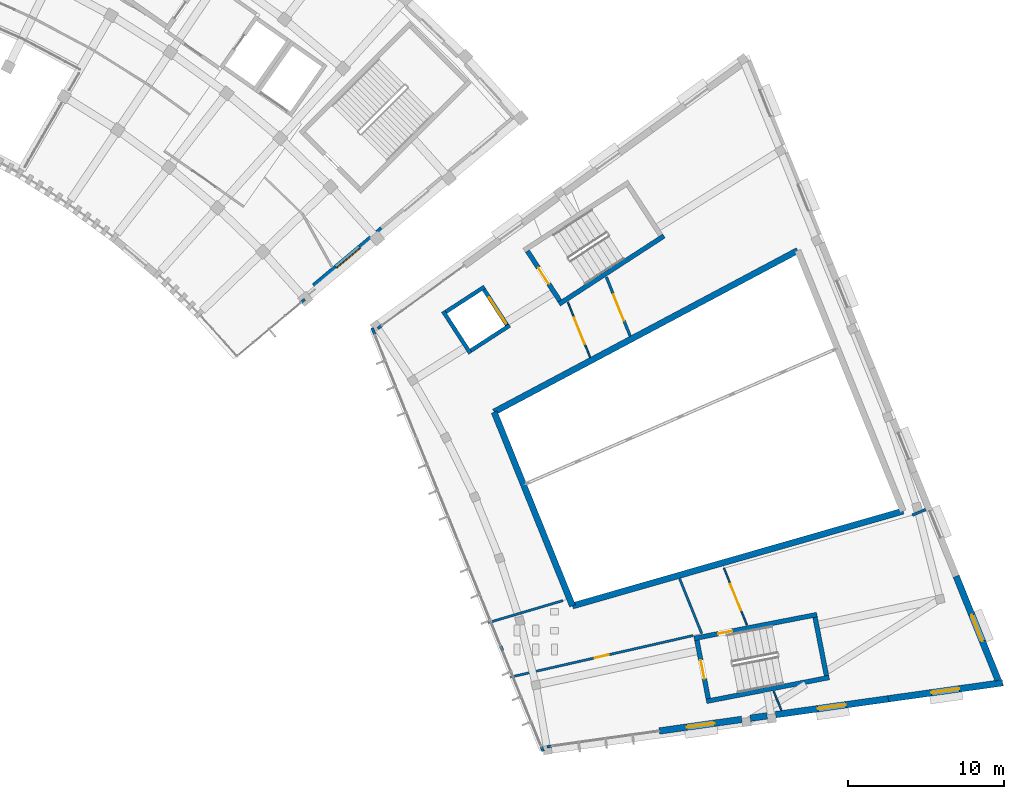
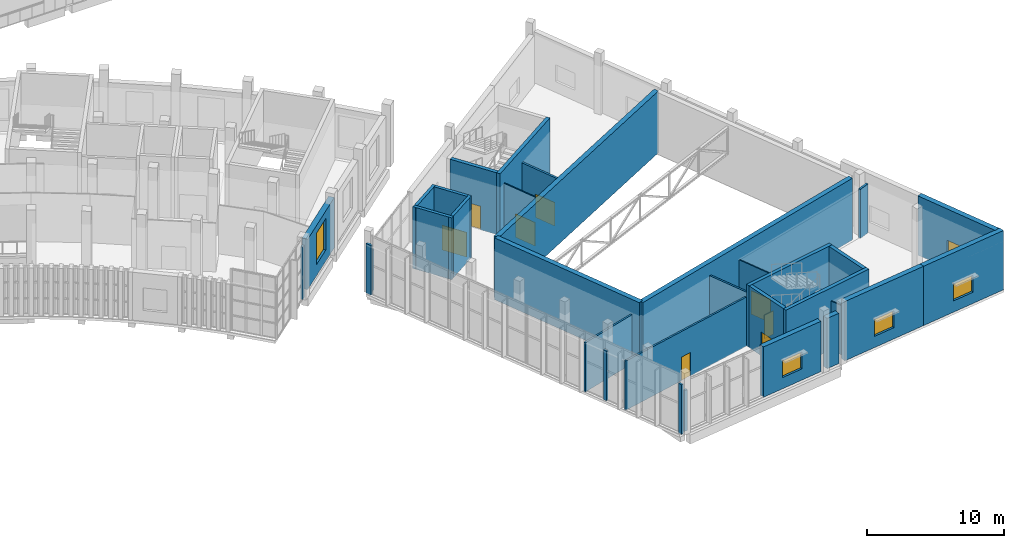
# One storey, part 61 of 112: 33 walls, 8 doors, 5 windows, 13 openings.
"""IFC4 building model written with IfcOpenShell, lengths in metres."""

from ifc_helpers import new_model, si_unit, direction, frame, frame_2d, origin, place, context, subcontext, project, spatial, rectangle, extrude, material, layer, layer_set, type_object, element, fill, save


model = new_model("IFC4")

# Units and contexts
model_context = context("Model", 3, precision=1e-05, world=origin(), true_north=direction((0.0, 1.0)))
body_context = subcontext(model_context, "Body", "Model", "MODEL_VIEW")
ifc_project = project(units=[si_unit("LENGTHUNIT", "METRE"), si_unit("AREAUNIT", "SQUARE_METRE"), si_unit("VOLUMEUNIT", "CUBIC_METRE"), si_unit("PLANEANGLEUNIT", "RADIAN"), si_unit("MASSUNIT", "GRAM", prefix="KILO")], contexts=[model_context])

# Site, building, storey
site_placement = place(None, origin())
site = spatial("IfcSite", under=ifc_project, at=site_placement, CompositionType="ELEMENT")
building_placement = place(site_placement, origin())
building = spatial("IfcBuilding", under=site, at=building_placement, Name="Lunette Opera House", CompositionType="ELEMENT")
storey_placement = place(building_placement, frame((0.0, 0.0, 6.0)))
storey = spatial("IfcBuildingStorey", under=building, at=storey_placement, Name="L01", CompositionType="ELEMENT", Elevation=6.0)

# Wall
ifc_material_1 = material(Name="Plastered clay blockwork", Category="masonry")
ifc_layer_1 = layer(ifc_material_1, 0.175048828125)
ifc_layer_set_1 = layer_set([ifc_layer_1], Name="Plastered clay blockwork")
wall_type_1 = type_object("IfcWallType", Name="ACOUSTIC BLOCK PARTITION 175", PredefinedType="PARTITIONING", material=ifc_layer_set_1)
wall_1_placement = place(storey_placement, frame((180.112060546875, 23.80810546875, 0.0), z_axis=(0.0, 0.0, 1.0), x_axis=(-0.919322876767, -0.393504063832, 0.0)))
element("IfcWall", 1, at=wall_1_placement, inside=storey, type_object=wall_type_1, Name="Partition Education Workshop", PredefinedType="PARTITIONING", context=body_context, shape_type="SweptSolid", body=[
    extrude(rectangle(XDim=0.922607421875, YDim=0.175048828125, at=frame_2d((0.46142578125, 0.0))), origin(), (0.0, 0.0, 1.0), 4.3798828125),
])

# Wall, opening, door
wall_2_placement = place(storey_placement, frame((161.2109375, 34.90087890625, 0.0), z_axis=(0.0, 0.0, 1.0), x_axis=(-0.374614769551, 0.927180551152, 0.0)))
wall_2 = element("IfcWall", 2, at=wall_2_placement, inside=storey, type_object=wall_type_1, Name="Partition Studio Corridor L01 North West", PredefinedType="PARTITIONING", context=body_context, shape_type="SweptSolid", body=[
    extrude(rectangle(XDim=4.070556640625, YDim=0.175048828125, at=frame_2d((2.03515625, 0.0))), origin(), (0.0, 0.0, 1.0), 4.3798828125),
])
opening_1_placement = place(wall_2_placement, frame((1.06005859375, 0.0, 0.0)))
opening_1 = element("IfcOpeningElement", 3, at=opening_1_placement, cuts=wall_2, Name="Opening SB-D3012", PredefinedType="OPENING", context=body_context, shape_type="SweptSolid", body=[
    extrude(rectangle(XDim=1.800048828125, YDim=2.10009765625, at=frame_2d((0.89990234375, 1.050048828125))), frame((0.0, 0.099609375, 0.0), z_axis=(0.0, -1.0, 0.0), x_axis=(1.0, 0.0, 0.0)), (0.0, 0.0, 1.0), 0.198974609375),
])
ifc_material_2 = material(Name="Timber", Category="wood")
door_type_1 = type_object("IfcDoorType", Name="SOUND LOCK DOOR 1800 X 2100", OperationType="DOUBLE_DOOR_SINGLE_SWING", PredefinedType="DOOR", material=ifc_material_2)
door_1_placement = place(opening_1_placement, origin())
door_1 = element("IfcDoor", 4, at=door_1_placement, inside=storey, type_object=door_type_1, Name="Studio Gallery Seating door", OperationType="DOUBLE_DOOR_SINGLE_SWING", OverallHeight=2.10009765625, OverallWidth=1.800048828125, PredefinedType="DOOR", context=body_context, shape_type="SweptSolid", body=[
    extrude(rectangle(XDim=1.800048828125, YDim=2.10009765625, at=frame_2d((0.89990234375, 1.050048828125))), frame((0.0, 0.02490234375, 0.0), z_axis=(0.0, -1.0, 0.0), x_axis=(1.0, 0.0, 0.0)), (0.0, 0.0, 1.0), 0.050048828125),
])
fill(opening_1, door_1)

# Wall, opening, window
ifc_material_3 = material(Name="Clinker brick", Category="masonry")
ifc_layer_2 = layer(ifc_material_3, 0.449951171875)
ifc_layer_set_2 = layer_set([ifc_layer_2], Name="Clinker brick")
wall_type_2 = type_object("IfcWallType", Name="ARM END WALL 450", PredefinedType="SOLIDWALL", material=ifc_layer_set_2)
wall_3_placement = place(storey_placement, frame((141.012939453125, 38.06494140625, 0.0), z_axis=(0.0, 0.0, 1.0), x_axis=(0.766076229388, 0.642749726384, 0.0)))
wall_3 = element("IfcWall", 5, at=wall_3_placement, inside=storey, type_object=wall_type_2, Name="Arm End Wall 450 EN-E1 L01", PredefinedType="SOLIDWALL", context=body_context, shape_type="SweptSolid", body=[
    extrude(rectangle(XDim=5.68359375, YDim=0.449951171875, at=frame_2d((2.841796875, 0.0))), origin(), (0.0, 0.0, 1.0), 4.47998046875),
])
opening_2_placement = place(wall_3_placement, frame((1.842041015625, 0.0, 1.0)))
opening_2 = element("IfcOpeningElement", 6, at=opening_2_placement, cuts=wall_3, Name="Opening FC-N2095", PredefinedType="OPENING", context=body_context, shape_type="SweptSolid", body=[
    extrude(rectangle(XDim=2.0, YDim=2.800048828125, at=frame_2d((1.0, 1.39990234375))), frame((0.0, 0.237060546875, 0.0), z_axis=(0.0, -1.0, 0.0), x_axis=(1.0, 0.0, 0.0)), (0.0, 0.0, 1.0), 0.473876953125),
])
ifc_material_4 = material(Name="Aluminium", Category="aluminium")
window_type_1 = type_object("IfcWindowType", Name="ARM WINDOW 2000 X 2800", PartitioningType="DOUBLE_PANEL_VERTICAL", PredefinedType="WINDOW", material=ifc_material_4)
window_1_placement = place(opening_2_placement, origin())
window_1 = element("IfcWindow", 7, at=window_1_placement, inside=storey, type_object=window_type_1, Name="Arm Window 2000 X 2800 EN-E1 L01", OverallHeight=2.800048828125, OverallWidth=2.0, PartitioningType="DOUBLE_PANEL_VERTICAL", PredefinedType="WINDOW", context=body_context, shape_type="SweptSolid", body=[
    extrude(rectangle(XDim=2.0, YDim=2.800048828125, at=frame_2d((1.0, 1.39990234375))), frame((0.0, 0.030029296875, 0.0), z_axis=(0.0, -1.0, 0.0), x_axis=(1.0, 0.0, 0.0)), (0.0, 0.0, 1.0), 0.06005859375),
])
fill(opening_2, window_1)

# Wall, opening, door
ifc_material_5 = material(Name="Plastered clay blockwork", Category="masonry")
ifc_layer_3 = layer(ifc_material_5, 0.14990234375)
ifc_layer_set_3 = layer_set([ifc_layer_3], Name="Plastered clay blockwork")
wall_type_3 = type_object("IfcWallType", Name="BLOCK PARTITION 150", PredefinedType="PARTITIONING", material=ifc_layer_set_3)
wall_4_placement = place(storey_placement, frame((153.555908203125, 13.087890625, 0.0), z_axis=(0.0, 0.0, 1.0), x_axis=(0.975099631728, 0.221767238799, 0.0)))
wall_4 = element("IfcWall", 8, at=wall_4_placement, inside=storey, type_object=wall_type_3, Name="Partition Studio WC L01", PredefinedType="PARTITIONING", context=body_context, shape_type="SweptSolid", body=[
    extrude(rectangle(XDim=11.986572265625, YDim=0.14990234375, at=frame_2d((5.9931640625, 0.0))), origin(), (0.0, 0.0, 1.0), 4.3798828125),
])
opening_3_placement = place(wall_4_placement, frame((5.529052734375, 0.0, 0.0)))
opening_3 = element("IfcOpeningElement", 9, at=opening_3_placement, cuts=wall_4, Name="Opening SB-D3016", PredefinedType="OPENING", context=body_context, shape_type="SweptSolid", body=[
    extrude(rectangle(XDim=0.89990234375, YDim=2.10009765625, at=frame_2d((0.449951171875, 1.050048828125))), frame((0.0, 0.0869140625, 0.0), z_axis=(0.0, -1.0, 0.0), x_axis=(1.0, 0.0, 0.0)), (0.0, 0.0, 1.0), 0.173828125),
])
ifc_material_6 = material(Name="Timber", Category="wood")
door_type_2 = type_object("IfcDoorType", Name="FLUSH DOOR 900 X 2100", OperationType="SINGLE_SWING_LEFT", PredefinedType="DOOR", material=ifc_material_6)
door_2_placement = place(opening_3_placement, origin())
door_2 = element("IfcDoor", 10, at=door_2_placement, inside=storey, type_object=door_type_2, Name="Studio WC L01 door", OperationType="SINGLE_SWING_LEFT", OverallHeight=2.10009765625, OverallWidth=0.89990234375, PredefinedType="DOOR", context=body_context, shape_type="SweptSolid", body=[
    extrude(rectangle(XDim=0.89990234375, YDim=2.10009765625, at=frame_2d((0.449951171875, 1.050048828125))), frame((0.0, 0.02490234375, 0.0), z_axis=(0.0, -1.0, 0.0), x_axis=(1.0, 0.0, 0.0)), (0.0, 0.0, 1.0), 0.050048828125),
])
fill(opening_3, door_2)

# Walls
wall_5_placement = place(storey_placement, frame((156.904052734375, 17.97900390625, 0.0), z_axis=(0.0, 0.0, 1.0), x_axis=(-0.959043541429, -0.283258690322, 0.0)))
element("IfcWall", 11, at=wall_5_placement, inside=storey, type_object=wall_type_3, Name="Partition Studio WC L01", PredefinedType="PARTITIONING", context=body_context, shape_type="SweptSolid", body=[
    extrude(rectangle(XDim=4.960205078125, YDim=0.14990234375, at=frame_2d((2.47998046875, 0.0))), origin(), (0.0, 0.0, 1.0), 4.3798828125),
])
wall_6_placement = place(storey_placement, frame((165.7890625, 15.8701171875, 0.0), z_axis=(0.0, 0.0, 1.0), x_axis=(-0.374367475924, 0.927280428441, 0.0)))
element("IfcWall", 12, at=wall_6_placement, inside=storey, type_object=wall_type_3, Name="Partition Studio WC L01", PredefinedType="PARTITIONING", context=body_context, shape_type="SweptSolid", body=[
    extrude(rectangle(XDim=3.80126953125, YDim=0.14990234375, at=frame_2d((1.900634765625, 0.0))), origin(), (0.0, 0.0, 1.0), 4.3798828125),
])
ifc_material_7 = material(Name="Insulated aluminium sandwich panel", Category="aluminium")
ifc_layer_4 = layer(ifc_material_7, 0.179931640625)
ifc_layer_set_4 = layer_set([ifc_layer_4], Name="Insulated aluminium sandwich panel")
wall_type_4 = type_object("IfcWallType", Name="CURTAIN WALL INFILL 180", PredefinedType="SOLIDWALL", material=ifc_layer_set_4)
wall_7_placement = place(storey_placement, frame((140.162109375, 37.056884765625, 0.0), z_axis=(0.0, 0.0, 1.0), x_axis=(0.766382097523, 0.642384994062, 0.0)))
element("IfcWall", 13, at=wall_7_placement, inside=storey, type_object=wall_type_4, Name="Curtain Wall Infill 180 IN9 L01", PredefinedType="SOLIDWALL", context=body_context, shape_type="SweptSolid", body=[
    extrude(rectangle(XDim=0.30517578125, YDim=0.179931640625, at=frame_2d((0.152587890625, 0.0))), origin(), (0.0, 0.0, 1.0), 4.64990234375),
])
wall_8_placement = place(storey_placement, frame((145.31591796875, 35.571044921875, 0.0), z_axis=(0.0, 0.0, 1.0), x_axis=(-0.809600929575, -0.586980693747, 0.0)))
element("IfcWall", 14, at=wall_8_placement, inside=storey, type_object=wall_type_4, Name="Curtain Wall Infill 180 IN129 L01", PredefinedType="SOLIDWALL", context=body_context, shape_type="SweptSolid", body=[
    extrude(rectangle(XDim=0.304931640625, YDim=0.179931640625, at=frame_2d((0.15234375, 0.0))), origin(), (0.0, 0.0, 1.0), 3.6298828125),
])
wall_9_placement = place(storey_placement, frame((144.8759765625, 34.9990234375, 0.0), z_axis=(0.0, 0.0, 1.0), x_axis=(-0.374558592096, 0.927203246914, 0.0)))
element("IfcWall", 15, at=wall_9_placement, inside=storey, type_object=wall_type_4, Name="Curtain Wall Infill 180 IN130 L01", PredefinedType="SOLIDWALL", context=body_context, shape_type="SweptSolid", body=[
    extrude(rectangle(XDim=0.46484375, YDim=0.179931640625, at=frame_2d((0.232421875, 0.0))), origin(), (0.0, 0.0, 1.0), 4.429931640625),
])
wall_10_placement = place(storey_placement, frame((152.928955078125, 15.06689453125, 0.0), z_axis=(0.0, 0.0, 1.0), x_axis=(0.373735167079, -0.927535457483, 0.0)))
element("IfcWall", 16, at=wall_10_placement, inside=storey, type_object=wall_type_4, Name="Curtain Wall Infill 180 IN131 L01", PredefinedType="SOLIDWALL", context=body_context, shape_type="SweptSolid", body=[
    extrude(rectangle(XDim=0.30517578125, YDim=0.179931640625, at=frame_2d((0.152587890625, 0.0))), origin(), (0.0, 0.0, 1.0), 4.429931640625),
])
wall_11_placement = place(storey_placement, frame((155.527099609375, 8.635986328125, 0.0), z_axis=(0.0, 0.0, 1.0), x_axis=(0.374463049601, -0.927241837108, 0.0)))
element("IfcWall", 17, at=wall_11_placement, inside=storey, type_object=wall_type_4, Name="Curtain Wall Infill 180 IN132 L01", PredefinedType="SOLIDWALL", context=body_context, shape_type="SweptSolid", body=[
    extrude(rectangle(XDim=0.31494140625, YDim=0.179931640625, at=frame_2d((0.157470703125, 0.0))), origin(), (0.0, 0.0, 1.0), 4.429931640625),
])
wall_12_placement = place(storey_placement, frame((156.18408203125, 8.669921875, 0.0), z_axis=(0.0, 0.0, 1.0), x_axis=(-0.99047104668, -0.137721115626, 0.0)))
element("IfcWall", 18, at=wall_12_placement, inside=storey, type_object=wall_type_4, Name="Curtain Wall Infill 180 IN133 L01", PredefinedType="SOLIDWALL", context=body_context, shape_type="SweptSolid", body=[
    extrude(rectangle(XDim=0.304931640625, YDim=0.179931640625, at=frame_2d((0.15234375, 0.0))), origin(), (0.0, 0.0, 1.0), 3.6298828125),
])
ifc_material_8 = material(Name="Concrete C35/45", Category="concrete")
ifc_layer_5 = layer(ifc_material_8, 0.25)
ifc_layer_set_5 = layer_set([ifc_layer_5], Name="Concrete C35/45")
wall_type_5 = type_object("IfcWallType", Name="RC LIFT SHAFT WALL 250", PredefinedType="SOLIDWALL", material=ifc_layer_set_5)
for number, where, z_axis, x_axis, name in (
    (19, (149.243896484375, 36.485107421875, 0.0), (0.0, 0.0, 1.0), (0.54466119011, -0.838656179842, 0.0), "LF8 shaft wall 1"),
    (20, (150.81396484375, 33.837890625, 0.0), (0.0, 0.0, 1.0), (0.838656179842, 0.54466119011, 0.0), "LF8 shaft wall 2"),
):
    element("IfcWall", number, at=place(storey_placement, frame(where, z_axis=z_axis, x_axis=x_axis)), inside=storey, type_object=wall_type_5, Name=name, PredefinedType="SOLIDWALL", context=body_context, shape_type="SweptSolid", body=[
        extrude(rectangle(XDim=3.200439453125, YDim=0.25, at=frame_2d((1.60009765625, 0.0))), origin(), (0.0, 0.0, 1.0), 5.5),
    ])

# Wall, opening, door
wall_13_placement = place(storey_placement, frame((153.4609375, 35.407958984375, 0.0), z_axis=(0.0, 0.0, 1.0), x_axis=(-0.544746938909, 0.838600484467, 0.0)))
wall_13 = element("IfcWall", 21, at=wall_13_placement, inside=storey, type_object=wall_type_5, Name="LF8 shaft wall 3", PredefinedType="SOLIDWALL", context=body_context, shape_type="SweptSolid", body=[
    extrude(rectangle(XDim=3.199462890625, YDim=0.25, at=frame_2d((1.599609375, 0.0))), origin(), (0.0, 0.0, 1.0), 5.5),
])
opening_4_placement = place(wall_13_placement, frame((0.35009765625, 0.0, 0.0)))
opening_4 = element("IfcOpeningElement", 22, at=opening_4_placement, cuts=wall_13, Name="Opening SB-LD003", PredefinedType="OPENING", context=body_context, shape_type="SweptSolid", body=[
    extrude(rectangle(XDim=2.0, YDim=2.199951171875, at=frame_2d((1.0, 1.10009765625))), frame((0.0, 0.136962890625, 0.0), z_axis=(0.0, -1.0, 0.0), x_axis=(1.0, 0.0, 0.0)), (0.0, 0.0, 1.0), 0.27392578125),
])
ifc_material_9 = material(Name="Stainless steel", Category="steel")
door_type_3 = type_object("IfcDoorType", Name="LIFT LANDING DOOR 2000 X 2200", OperationType="DOUBLE_DOOR_SLIDING", PredefinedType="DOOR", material=ifc_material_9)
door_3_placement = place(opening_4_placement, origin())
door_3 = element("IfcDoor", 23, at=door_3_placement, inside=storey, type_object=door_type_3, Name="LF8 lift landing door", OperationType="DOUBLE_DOOR_SLIDING", OverallHeight=2.199951171875, OverallWidth=2.0, PredefinedType="DOOR", context=body_context, shape_type="SweptSolid", body=[
    extrude(rectangle(XDim=2.0, YDim=2.199951171875, at=frame_2d((1.0, 1.10009765625))), frame((0.0, 0.02490234375, 0.0), z_axis=(0.0, -1.0, 0.0), x_axis=(1.0, 0.0, 0.0)), (0.0, 0.0, 1.0), 0.050048828125),
])
fill(opening_4, door_3)

# Wall
wall_14_placement = place(storey_placement, frame((151.89111328125, 38.053955078125, 0.0), z_axis=(0.0, 0.0, 1.0), x_axis=(-0.838830397361, -0.544392840201, 0.0)))
element("IfcWall", 24, at=wall_14_placement, inside=storey, type_object=wall_type_5, Name="LF8 shaft wall 4", PredefinedType="SOLIDWALL", context=body_context, shape_type="SweptSolid", body=[
    extrude(rectangle(XDim=3.19970703125, YDim=0.25, at=frame_2d((1.599853515625, 0.0))), origin(), (0.0, 0.0, 1.0), 5.5),
])

# Wall, opening, door
ifc_material_10 = material(Name="Concrete C35/45", Category="concrete")
ifc_layer_6 = layer(ifc_material_10, 0.300048828125)
ifc_layer_set_6 = layer_set([ifc_layer_6], Name="Concrete C35/45")
wall_type_6 = type_object("IfcWallType", Name="RC STAIR ENCLOSURE WALL 300", PredefinedType="SOLIDWALL", material=ifc_layer_set_6)
wall_15_placement = place(storey_placement, frame((154.635986328125, 40.343994140625, 0.0), z_axis=(0.0, 0.0, 1.0), x_axis=(0.544712834543, -0.838622637355, 0.0)))
wall_15 = element("IfcWall", 25, at=wall_15_placement, inside=storey, type_object=wall_type_6, Name="ST21 enclosure wall 1", PredefinedType="SOLIDWALL", context=body_context, shape_type="SweptSolid", body=[
    extrude(rectangle(XDim=3.80029296875, YDim=0.300048828125, at=frame_2d((1.900146484375, 0.0))), origin(), (0.0, 0.0, 1.0), 5.5),
])
opening_5_placement = place(wall_15_placement, frame((1.300048828125, 0.0, 0.0)))
opening_5 = element("IfcOpeningElement", 26, at=opening_5_placement, cuts=wall_15, Name="Opening SB-D7003", PredefinedType="OPENING", context=body_context, shape_type="SweptSolid", body=[
    extrude(rectangle(XDim=1.199951171875, YDim=2.10009765625, at=frame_2d((0.60009765625, 1.050048828125))), frame((0.0, 0.162109375, 0.0), z_axis=(0.0, -1.0, 0.0), x_axis=(1.0, 0.0, 0.0)), (0.0, 0.0, 1.0), 0.323974609375),
])
ifc_material_11 = material(Name="Steel", Category="steel")
door_type_4 = type_object("IfcDoorType", Name="FIRE DOOR 1200 X 2100", OperationType="SINGLE_SWING_LEFT", PredefinedType="DOOR", material=ifc_material_11)
door_4_placement = place(opening_5_placement, origin())
door_4 = element("IfcDoor", 27, at=door_4_placement, inside=storey, type_object=door_type_4, Name="ST21 stair door", OperationType="SINGLE_SWING_LEFT", OverallHeight=2.10009765625, OverallWidth=1.199951171875, PredefinedType="DOOR", context=body_context, shape_type="SweptSolid", body=[
    extrude(rectangle(XDim=1.199951171875, YDim=2.10009765625, at=frame_2d((0.60009765625, 1.050048828125))), frame((0.0, 0.02490234375, 0.0), z_axis=(0.0, -1.0, 0.0), x_axis=(1.0, 0.0, 0.0)), (0.0, 0.0, 1.0), 0.050048828125),
])
fill(opening_5, door_4)

# Wall
wall_16_placement = place(storey_placement, frame((156.662109375, 36.949951171875, 0.0), z_axis=(0.0, 0.0, 1.0), x_axis=(0.838666673849, 0.544645031351, 0.0)))
element("IfcWall", 28, at=wall_16_placement, inside=storey, type_object=wall_type_6, Name="ST21 enclosure wall 2", PredefinedType="SOLIDWALL", context=body_context, shape_type="SweptSolid", body=[
    extrude(rectangle(XDim=7.99951171875, YDim=0.300048828125, at=frame_2d((3.999755859375, 0.0))), origin(), (0.0, 0.0, 1.0), 5.5),
])

# Wall, opening, door
wall_17_placement = place(storey_placement, frame((165.47998046875, 15.44091796875, 0.0), z_axis=(0.0, 0.0, 1.0), x_axis=(0.190824946063, -0.981624082814, 0.0)))
wall_17 = element("IfcWall", 29, at=wall_17_placement, inside=storey, type_object=wall_type_6, Name="ST22 enclosure wall 1", PredefinedType="SOLIDWALL", context=body_context, shape_type="SweptSolid", body=[
    extrude(rectangle(XDim=3.7998046875, YDim=0.300048828125, at=frame_2d((1.89990234375, 0.0))), origin(), (0.0, 0.0, 1.0), 5.5),
])
opening_6_placement = place(wall_17_placement, frame((1.300048828125, 0.0, 0.0)))
opening_6 = element("IfcOpeningElement", 30, at=opening_6_placement, cuts=wall_17, Name="Opening SB-D7008", PredefinedType="OPENING", context=body_context, shape_type="SweptSolid", body=[
    extrude(rectangle(XDim=1.199951171875, YDim=2.10009765625, at=frame_2d((0.60009765625, 1.050048828125))), frame((0.0, 0.162109375, 0.0), z_axis=(0.0, -1.0, 0.0), x_axis=(1.0, 0.0, 0.0)), (0.0, 0.0, 1.0), 0.323974609375),
])
door_5_placement = place(opening_6_placement, origin())
door_5 = element("IfcDoor", 31, at=door_5_placement, inside=storey, type_object=door_type_4, Name="ST22 stair door", OperationType="SINGLE_SWING_LEFT", OverallHeight=2.10009765625, OverallWidth=1.199951171875, PredefinedType="DOOR", context=body_context, shape_type="SweptSolid", body=[
    extrude(rectangle(XDim=1.199951171875, YDim=2.10009765625, at=frame_2d((0.60009765625, 1.050048828125))), frame((0.0, 0.02490234375, 0.0), z_axis=(0.0, -1.0, 0.0), x_axis=(1.0, 0.0, 0.0)), (0.0, 0.0, 1.0), 0.050048828125),
])
fill(opening_6, door_5)

# Walls
wall_18_placement = place(storey_placement, frame((166.0859375, 11.534912109375, 0.0), z_axis=(0.0, 0.0, 1.0), x_axis=(0.981635396686, 0.190766737073, 0.0)))
element("IfcWall", 32, at=wall_18_placement, inside=storey, type_object=wall_type_6, Name="ST22 enclosure wall 2", PredefinedType="SOLIDWALL", context=body_context, shape_type="SweptSolid", body=[
    extrude(rectangle(XDim=8.0, YDim=0.300048828125, at=frame_2d((4.0, 0.0))), origin(), (0.0, 0.0, 1.0), 5.5),
])
wall_19_placement = place(storey_placement, frame((173.763916015625, 13.179931640625, 0.0), z_axis=(0.0, 0.0, 1.0), x_axis=(-0.190763033741, 0.981636116368, 0.0)))
element("IfcWall", 33, at=wall_19_placement, inside=storey, type_object=wall_type_6, Name="ST22 enclosure wall 3", PredefinedType="SOLIDWALL", context=body_context, shape_type="SweptSolid", body=[
    extrude(rectangle(XDim=3.7998046875, YDim=0.300048828125, at=frame_2d((1.89990234375, 0.0))), origin(), (0.0, 0.0, 1.0), 5.5),
])

# Wall, opening, door
wall_20_placement = place(storey_placement, frame((173.157958984375, 17.0859375, 0.0), z_axis=(0.0, 0.0, 1.0), x_axis=(-0.981641111144, -0.190737329623, 0.0)))
wall_20 = element("IfcWall", 34, at=wall_20_placement, inside=storey, type_object=wall_type_6, Name="ST22 enclosure wall 4", PredefinedType="SOLIDWALL", context=body_context, shape_type="SweptSolid", body=[
    extrude(rectangle(XDim=8.0, YDim=0.300048828125, at=frame_2d((4.0, 0.0))), origin(), (0.0, 0.0, 1.0), 5.5),
])
opening_7_placement = place(wall_20_placement, frame((5.52587890625, 0.0, 0.0)))
opening_7 = element("IfcOpeningElement", 35, at=opening_7_placement, cuts=wall_20, Name="Opening SB-D3015", PredefinedType="OPENING", context=body_context, shape_type="SweptSolid", body=[
    extrude(rectangle(XDim=0.89990234375, YDim=2.10009765625, at=frame_2d((0.449951171875, 1.050048828125))), frame((0.0, 0.162109375, 0.0), z_axis=(0.0, -1.0, 0.0), x_axis=(1.0, 0.0, 0.0)), (0.0, 0.0, 1.0), 0.323974609375),
])
door_6_placement = place(opening_7_placement, origin())
door_6 = element("IfcDoor", 36, at=door_6_placement, inside=storey, type_object=door_type_2, Name="Studio Corridor L01 South East door", OperationType="SINGLE_SWING_RIGHT", OverallHeight=2.10009765625, OverallWidth=0.89990234375, PredefinedType="DOOR", context=body_context, shape_type="SweptSolid", body=[
    extrude(rectangle(XDim=0.89990234375, YDim=2.10009765625, at=frame_2d((0.449951171875, 1.050048828125))), frame((0.0, 0.02490234375, 0.0), z_axis=(0.0, -1.0, 0.0), x_axis=(1.0, 0.0, 0.0)), (0.0, 0.0, 1.0), 0.050048828125),
])
fill(opening_7, door_6)

# Walls
ifc_material_12 = material(Name="Concrete C35/45", Category="concrete")
ifc_layer_7 = layer(ifc_material_12, 0.39990234375)
ifc_layer_set_7 = layer_set([ifc_layer_7], Name="Concrete C35/45")
wall_type_7 = type_object("IfcWallType", Name="RC WALL 400", PredefinedType="SHEAR", material=ifc_layer_set_7)
wall_21_placement = place(storey_placement, frame((171.93310546875, 40.375, 0.0), z_axis=(0.0, 0.0, 1.0), x_axis=(-0.882926128241, -0.469511929634, 0.0)))
element("IfcWall", 37, at=wall_21_placement, inside=storey, type_object=wall_type_7, Name="wall-SB-L01-HW1", PredefinedType="SHEAR", context=body_context, shape_type="SweptSolid", body=[
    extrude(rectangle(XDim=21.999755859375, YDim=0.39990234375, at=frame_2d((11.0, 0.0))), origin(), (0.0, 0.0, 1.0), 5.5),
])
wall_22_placement = place(storey_placement, frame((152.509033203125, 30.0458984375, 0.0), z_axis=(0.0, 0.0, 1.0), x_axis=(0.374613299166, -0.92718114524, 0.0)))
element("IfcWall", 38, at=wall_22_placement, inside=storey, type_object=wall_type_7, Name="wall-SB-L01-HW2", PredefinedType="SHEAR", context=body_context, shape_type="SweptSolid", body=[
    extrude(rectangle(XDim=13.379150390625, YDim=0.39990234375, at=frame_2d((6.689453125, 0.0))), origin(), (0.0, 0.0, 1.0), 5.5),
])
wall_23_placement = place(storey_placement, frame((157.52099609375, 17.64111328125, 0.0), z_axis=(0.0, 0.0, 1.0), x_axis=(0.961263044958, 0.275632651182, 0.0)))
element("IfcWall", 39, at=wall_23_placement, inside=storey, type_object=wall_type_7, Name="wall-SB-L01-HW3", PredefinedType="SHEAR", context=body_context, shape_type="SweptSolid", body=[
    extrude(rectangle(XDim=22.000244140625, YDim=0.39990234375, at=frame_2d((11.0, 0.0))), origin(), (0.0, 0.0, 1.0), 5.5),
])

# Wall, opening, door
ifc_material_13 = material(Name="Gypsum board on steel studs", Category="steel")
ifc_layer_8 = layer(ifc_material_13, 0.10009765625)
ifc_layer_set_8 = layer_set([ifc_layer_8], Name="Gypsum board on steel studs")
wall_type_8 = type_object("IfcWallType", Name="STUD PARTITION 100", PredefinedType="PARTITIONING", material=ifc_layer_set_8)
wall_24_placement = place(storey_placement, frame((157.221923828125, 37.074951171875, 0.0), z_axis=(0.0, 0.0, 1.0), x_axis=(0.374468342404, -0.927239699612, 0.0)))
wall_24 = element("IfcWall", 40, at=wall_24_placement, inside=storey, type_object=wall_type_8, Name="Partition Studio Corridor L01 North West", PredefinedType="PARTITIONING", context=body_context, shape_type="SweptSolid", body=[
    extrude(rectangle(XDim=3.813232421875, YDim=0.10009765625, at=frame_2d((1.90673828125, 0.0))), origin(), (0.0, 0.0, 1.0), 4.3798828125),
])
opening_8_placement = place(wall_24_placement, frame((1.08203125, 0.0, 0.0)))
opening_8 = element("IfcOpeningElement", 41, at=opening_8_placement, cuts=wall_24, Name="Opening SB-D3013", PredefinedType="OPENING", context=body_context, shape_type="SweptSolid", body=[
    extrude(rectangle(XDim=1.800048828125, YDim=2.10009765625, at=frame_2d((0.89990234375, 1.050048828125))), frame((0.0, 0.06201171875, 0.0), z_axis=(0.0, -1.0, 0.0), x_axis=(1.0, 0.0, 0.0)), (0.0, 0.0, 1.0), 0.1240234375),
])
ifc_material_14 = material(Name="Timber", Category="wood")
door_type_5 = type_object("IfcDoorType", Name="DOUBLE FLUSH DOOR 1800 X 2100", OperationType="DOUBLE_DOOR_SINGLE_SWING", PredefinedType="DOOR", material=ifc_material_14)
door_7_placement = place(opening_8_placement, origin())
door_7 = element("IfcDoor", 42, at=door_7_placement, inside=storey, type_object=door_type_5, Name="Studio Dressing Rooms L01 door", OperationType="DOUBLE_DOOR_SINGLE_SWING", OverallHeight=2.10009765625, OverallWidth=1.800048828125, PredefinedType="DOOR", context=body_context, shape_type="SweptSolid", body=[
    extrude(rectangle(XDim=1.800048828125, YDim=2.10009765625, at=frame_2d((0.89990234375, 1.050048828125))), frame((0.0, 0.02490234375, 0.0), z_axis=(0.0, -1.0, 0.0), x_axis=(1.0, 0.0, 0.0)), (0.0, 0.0, 1.0), 0.050048828125),
])
fill(opening_8, door_7)

wall_25_placement = place(storey_placement, frame((168.677978515625, 16.4189453125, 0.0), z_axis=(0.0, 0.0, 1.0), x_axis=(-0.374729910149, 0.927134021833, 0.0)))
wall_25 = element("IfcWall", 43, at=wall_25_placement, inside=storey, type_object=wall_type_8, Name="Partition Studio Corridor L01 South East", PredefinedType="PARTITIONING", context=body_context, shape_type="SweptSolid", body=[
    extrude(rectangle(XDim=3.91748046875, YDim=0.10009765625, at=frame_2d((1.958740234375, 0.0))), origin(), (0.0, 0.0, 1.0), 4.3798828125),
])
opening_9_placement = place(wall_25_placement, frame((1.032958984375, 0.0, 0.0)))
opening_9 = element("IfcOpeningElement", 44, at=opening_9_placement, cuts=wall_25, Name="Opening SB-D3014", PredefinedType="OPENING", context=body_context, shape_type="SweptSolid", body=[
    extrude(rectangle(XDim=1.800048828125, YDim=2.10009765625, at=frame_2d((0.89990234375, 1.050048828125))), frame((0.0, 0.06201171875, 0.0), z_axis=(0.0, -1.0, 0.0), x_axis=(1.0, 0.0, 0.0)), (0.0, 0.0, 1.0), 0.1240234375),
])
door_8_placement = place(opening_9_placement, origin())
door_8 = element("IfcDoor", 45, at=door_8_placement, inside=storey, type_object=door_type_5, Name="Education Workshop door", OperationType="DOUBLE_DOOR_SINGLE_SWING", OverallHeight=2.10009765625, OverallWidth=1.800048828125, PredefinedType="DOOR", context=body_context, shape_type="SweptSolid", body=[
    extrude(rectangle(XDim=1.800048828125, YDim=2.10009765625, at=frame_2d((0.89990234375, 1.050048828125))), frame((0.0, 0.02490234375, 0.0), z_axis=(0.0, -1.0, 0.0), x_axis=(1.0, 0.0, 0.0)), (0.0, 0.0, 1.0), 0.050048828125),
])
fill(opening_9, door_8)

# Wall
wall_26_placement = place(storey_placement, frame((170.887939453125, 10.948974609375, 0.0), z_axis=(0.0, 0.0, 1.0), x_axis=(-0.374619505571, 0.927178637613, 0.0)))
element("IfcWall", 46, at=wall_26_placement, inside=storey, type_object=wall_type_8, Name="Partition Studio Corridor L01", PredefinedType="PARTITIONING", context=body_context, shape_type="SweptSolid", body=[
    extrude(rectangle(XDim=1.315673828125, YDim=0.10009765625, at=frame_2d((0.65771484375, 0.0))), origin(), (0.0, 0.0, 1.0), 4.3798828125),
])

# Wall, opening, window
ifc_material_15 = material(Name="Clinker brick", Category="masonry")
ifc_layer_9 = layer(ifc_material_15, 0.419921875)
ifc_layer_set_9 = layer_set([ifc_layer_9], Name="Clinker brick")
wall_type_9 = type_object("IfcWallType", Name="STUDIO BRICK WALL 420", PredefinedType="SOLIDWALL", material=ifc_layer_set_9)
wall_27_placement = place(storey_placement, frame((163.076904296875, 9.638916015625, 0.0), z_axis=(0.0, 0.0, 1.0), x_axis=(0.990252820999, 0.139281551197, 0.0)))
wall_27 = element("IfcWall", 47, at=wall_27_placement, inside=storey, type_object=wall_type_9, Name="Studio Brick Wall 420 F10-1 L01", PredefinedType="SOLIDWALL", context=body_context, shape_type="SweptSolid", body=[
    extrude(rectangle(XDim=5.31982421875, YDim=0.419921875, at=frame_2d((2.659912109375, 0.0))), origin(), (0.0, 0.0, 1.0), 4.47998046875),
])
opening_10_placement = place(wall_27_placement, frame((1.760009765625, 0.0, 1.0)))
opening_10 = element("IfcOpeningElement", 48, at=opening_10_placement, cuts=wall_27, Name="Opening SB-N2004", PredefinedType="OPENING", context=body_context, shape_type="SweptSolid", body=[
    extrude(rectangle(XDim=1.800048828125, YDim=1.5, at=frame_2d((0.89990234375, 0.75))), frame((0.0, 0.221923828125, 0.0), z_axis=(0.0, -1.0, 0.0), x_axis=(1.0, 0.0, 0.0)), (0.0, 0.0, 1.0), 0.44384765625),
])
ifc_material_16 = material(Name="Aluminium", Category="aluminium")
window_type_2 = type_object("IfcWindowType", Name="STUDIO WINDOW 1800 X 1500", PartitioningType="DOUBLE_PANEL_VERTICAL", PredefinedType="WINDOW", material=ifc_material_16)
window_2_placement = place(opening_10_placement, origin())
window_2 = element("IfcWindow", 49, at=window_2_placement, inside=storey, type_object=window_type_2, Name="Studio Window 1800 X 1500 F10-1 L01", OverallHeight=1.5, OverallWidth=1.800048828125, PartitioningType="DOUBLE_PANEL_VERTICAL", PredefinedType="WINDOW", context=body_context, shape_type="SweptSolid", body=[
    extrude(rectangle(XDim=1.800048828125, YDim=1.5, at=frame_2d((0.89990234375, 0.75))), frame((0.0, 0.030029296875, 0.0), z_axis=(0.0, -1.0, 0.0), x_axis=(1.0, 0.0, 0.0)), (0.0, 0.0, 1.0), 0.06005859375),
])
fill(opening_10, window_2)

# Wall
wall_28_placement = place(storey_placement, frame((168.889892578125, 10.4560546875, 0.0), z_axis=(0.0, 0.0, 1.0), x_axis=(0.990225632743, 0.139474715481, 0.0)))
element("IfcWall", 50, at=wall_28_placement, inside=storey, type_object=wall_type_9, Name="Studio Brick Wall 420 F10-2 L01", PredefinedType="SOLIDWALL", context=body_context, shape_type="SweptSolid", body=[
    extrude(rectangle(XDim=1.0888671875, YDim=0.419921875, at=frame_2d((0.54443359375, 0.0))), origin(), (0.0, 0.0, 1.0), 4.47998046875),
])

# Wall, opening, window
wall_29_placement = place(storey_placement, frame((170.512939453125, 10.68408203125, 0.0), z_axis=(0.0, 0.0, 1.0), x_axis=(0.990259181758, 0.139236320493, 0.0)))
wall_29 = element("IfcWall", 51, at=wall_29_placement, inside=storey, type_object=wall_type_9, Name="Studio Brick Wall 420 F11 L01", PredefinedType="SOLIDWALL", context=body_context, shape_type="SweptSolid", body=[
    extrude(rectangle(XDim=7.27490234375, YDim=0.419921875, at=frame_2d((3.637451171875, 0.0))), origin(), (0.0, 0.0, 1.0), 5.280029296875),
])
opening_11_placement = place(wall_29_placement, frame((2.738037109375, 0.0, 1.0)))
opening_11 = element("IfcOpeningElement", 52, at=opening_11_placement, cuts=wall_29, Name="Opening SB-N2005", PredefinedType="OPENING", context=body_context, shape_type="SweptSolid", body=[
    extrude(rectangle(XDim=1.800048828125, YDim=1.5, at=frame_2d((0.89990234375, 0.75))), frame((0.0, 0.221923828125, 0.0), z_axis=(0.0, -1.0, 0.0), x_axis=(1.0, 0.0, 0.0)), (0.0, 0.0, 1.0), 0.44384765625),
])
window_3_placement = place(opening_11_placement, origin())
window_3 = element("IfcWindow", 53, at=window_3_placement, inside=storey, type_object=window_type_2, Name="Studio Window 1800 X 1500 F11 L01", OverallHeight=1.5, OverallWidth=1.800048828125, PartitioningType="DOUBLE_PANEL_VERTICAL", PredefinedType="WINDOW", context=body_context, shape_type="SweptSolid", body=[
    extrude(rectangle(XDim=1.800048828125, YDim=1.5, at=frame_2d((0.89990234375, 0.75))), frame((0.0, 0.030029296875, 0.0), z_axis=(0.0, -1.0, 0.0), x_axis=(1.0, 0.0, 0.0)), (0.0, 0.0, 1.0), 0.06005859375),
])
fill(opening_11, window_3)

wall_30_placement = place(storey_placement, frame((177.717041015625, 11.697021484375, 0.0), z_axis=(0.0, 0.0, 1.0), x_axis=(0.990262769028, 0.139210805171, 0.0)))
wall_30 = element("IfcWall", 54, at=wall_30_placement, inside=storey, type_object=wall_type_9, Name="Studio Brick Wall 420 F12 L01", PredefinedType="SOLIDWALL", context=body_context, shape_type="SweptSolid", body=[
    extrude(rectangle(XDim=7.39208984375, YDim=0.419921875, at=frame_2d((3.696044921875, 0.0))), origin(), (0.0, 0.0, 1.0), 5.280029296875),
])
opening_12_placement = place(wall_30_placement, frame((2.7958984375, 0.0, 1.0)))
opening_12 = element("IfcOpeningElement", 55, at=opening_12_placement, cuts=wall_30, Name="Opening SB-N2006", PredefinedType="OPENING", context=body_context, shape_type="SweptSolid", body=[
    extrude(rectangle(XDim=1.800048828125, YDim=1.5, at=frame_2d((0.89990234375, 0.75))), frame((0.0, 0.221923828125, 0.0), z_axis=(0.0, -1.0, 0.0), x_axis=(1.0, 0.0, 0.0)), (0.0, 0.0, 1.0), 0.44384765625),
])
window_4_placement = place(opening_12_placement, origin())
window_4 = element("IfcWindow", 56, at=window_4_placement, inside=storey, type_object=window_type_2, Name="Studio Window 1800 X 1500 F12 L01", OverallHeight=1.5, OverallWidth=1.800048828125, PartitioningType="DOUBLE_PANEL_VERTICAL", PredefinedType="WINDOW", context=body_context, shape_type="SweptSolid", body=[
    extrude(rectangle(XDim=1.800048828125, YDim=1.5, at=frame_2d((0.89990234375, 0.75))), frame((0.0, 0.030029296875, 0.0), z_axis=(0.0, -1.0, 0.0), x_axis=(1.0, 0.0, 0.0)), (0.0, 0.0, 1.0), 0.06005859375),
])
fill(opening_12, window_4)

wall_31_placement = place(storey_placement, frame((184.75, 12.89111328125, 0.0), z_axis=(0.0, 0.0, 1.0), x_axis=(-0.374594824941, 0.927188609252, 0.0)))
wall_31 = element("IfcWall", 57, at=wall_31_placement, inside=storey, type_object=wall_type_9, Name="Studio Brick Wall 420 F13 L01", PredefinedType="SOLIDWALL", context=body_context, shape_type="SweptSolid", body=[
    extrude(rectangle(XDim=7.16796875, YDim=0.419921875, at=frame_2d((3.583984375, 0.0))), origin(), (0.0, 0.0, 1.0), 5.280029296875),
])
opening_13_placement = place(wall_31_placement, frame((2.68408203125, 0.0, 1.0)))
opening_13 = element("IfcOpeningElement", 58, at=opening_13_placement, cuts=wall_31, Name="Opening SB-N2007", PredefinedType="OPENING", context=body_context, shape_type="SweptSolid", body=[
    extrude(rectangle(XDim=1.800048828125, YDim=1.5, at=frame_2d((0.89990234375, 0.75))), frame((0.0, 0.221923828125, 0.0), z_axis=(0.0, -1.0, 0.0), x_axis=(1.0, 0.0, 0.0)), (0.0, 0.0, 1.0), 0.44384765625),
])
window_5_placement = place(opening_13_placement, origin())
window_5 = element("IfcWindow", 59, at=window_5_placement, inside=storey, type_object=window_type_2, Name="Studio Window 1800 X 1500 F13 L01", OverallHeight=1.5, OverallWidth=1.800048828125, PartitioningType="DOUBLE_PANEL_VERTICAL", PredefinedType="WINDOW", context=body_context, shape_type="SweptSolid", body=[
    extrude(rectangle(XDim=1.800048828125, YDim=1.5, at=frame_2d((0.89990234375, 0.75))), frame((0.0, 0.030029296875, 0.0), z_axis=(0.0, -1.0, 0.0), x_axis=(1.0, 0.0, 0.0)), (0.0, 0.0, 1.0), 0.06005859375),
])
fill(opening_13, window_5)

save(model, "model.ifc")
